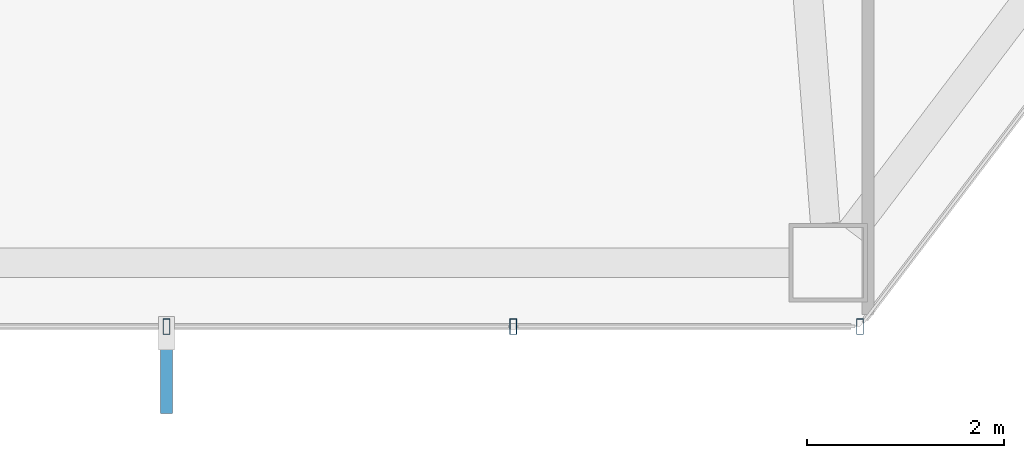
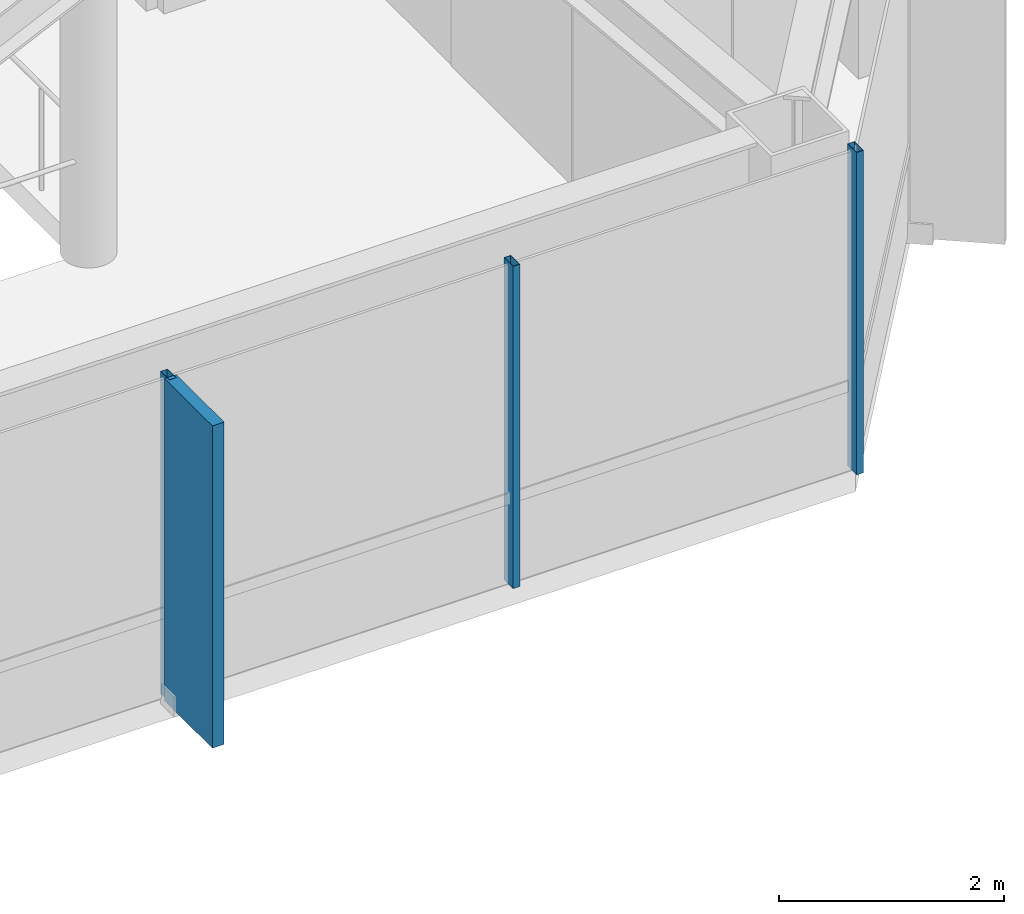
# One storey, part 8 of 28: 4 members, 1 element without a shape of its own.
"""IFC4 building model written with IfcOpenShell, lengths in metres."""

import ifcopenshell
import ifcopenshell.guid

model = None  # the IFC model being written
_history = None  # IfcOwnerHistory: only IFC2X3 demands one
_inside = {}  # id of a spatial element -> (the spatial element, [elements in it])
_under = {}  # id of a project, library or spatial element -> (it, [spatial elements below it])
_declared = {}  # id of a project -> (the project, [libraries it declares])
_typed = {}  # id of a type object -> (the type object, [elements of that type])
_made_of = {}  # id of a material, layer set ... -> (it, [elements and type objects made of it])


def new_model(schema):
    """Start an empty IFC model of exactly this schema.

    Asked for "IFC4X3", IfcOpenShell would pick the latest addendum, in which some entities
    have other attributes; the version numbers below select the first issue.
    IFC2X3 requires an IfcOwnerHistory on every rooted entity: one is made here for all.
    """
    global model, _history
    if schema == "IFC4X3":
        model = ifcopenshell.file(schema_version=(4, 3, 0, 0))
    else:
        model = ifcopenshell.file(schema=schema)
    _inside.clear()
    _under.clear()
    _declared.clear()
    _typed.clear()
    _made_of.clear()
    _history = None
    if model.schema == "IFC2X3":
        org = make("IfcOrganization", Name="unknown")
        user = make(
            "IfcPersonAndOrganization",
            ThePerson=make("IfcPerson", FamilyName="unknown"),
            TheOrganization=org,
        )
        app = make(
            "IfcApplication",
            ApplicationDeveloper=org,
            Version="unknown",
            ApplicationFullName="unknown",
            ApplicationIdentifier="unknown",
        )
        _history = make(
            "IfcOwnerHistory",
            OwningUser=user,
            OwningApplication=app,
            ChangeAction="ADDED",
            CreationDate=0,
        )
    return model


def make(cls, **values):
    """One entity of the class cls with the attributes given. An attribute that is None is left unset."""
    return model.create_entity(
        cls, **{name: value for name, value in values.items() if value is not None}
    )


def rooted(cls, **values):
    """An entity with a GlobalId (a new one), such as an element, a storey or a relation."""
    return make(cls, GlobalId=ifcopenshell.guid.new(), OwnerHistory=_history, **values)


def si_unit(unit_type, name, prefix=None):
    """IfcSIUnit, for example si_unit("LENGTHUNIT", "METRE", prefix="MILLI")."""
    return make("IfcSIUnit", UnitType=unit_type, Prefix=prefix, Name=name)


def assignment(units):
    """IfcUnitAssignment: the units of a project."""
    return None if units is None else make("IfcUnitAssignment", Units=units)


def point(xyz):
    """IfcCartesianPoint."""
    return None if xyz is None else make("IfcCartesianPoint", Coordinates=xyz)


def direction(xyz):
    """IfcDirection."""
    return None if xyz is None else make("IfcDirection", DirectionRatios=xyz)


def frame(location, z_axis=None, x_axis=None):
    """IfcAxis2Placement3D, a coordinate frame: its origin and axes. An axis left out is left unset."""
    return make(
        "IfcAxis2Placement3D",
        Location=point(location),
        Axis=direction(z_axis),
        RefDirection=direction(x_axis),
    )


def frame_2d(location, x_axis=None):
    """IfcAxis2Placement2D, a coordinate frame in the plane: its origin and x axis."""
    return make(
        "IfcAxis2Placement2D", Location=point(location), RefDirection=direction(x_axis)
    )


def origin():
    """The frame at (0, 0, 0) with its axes left unset."""
    return frame((0.0, 0.0, 0.0))


def origin_2d():
    """The frame at (0, 0) in the plane with its x axis left unset."""
    return frame_2d((0.0, 0.0))


def place(relative_to, where):
    """IfcLocalPlacement: puts the frame where relative to a parent placement (None: the world)."""
    return make(
        "IfcLocalPlacement", PlacementRelTo=relative_to, RelativePlacement=where
    )


def context(
    kind, dimensions, precision=None, world=None, true_north=None, identifier=None
):
    """IfcGeometricRepresentationContext, for example the 3D "Model" context."""
    return make(
        "IfcGeometricRepresentationContext",
        ContextIdentifier=identifier,
        ContextType=kind,
        CoordinateSpaceDimension=dimensions,
        Precision=precision,
        WorldCoordinateSystem=world,
        TrueNorth=true_north,
    )


def subcontext(parent, identifier, kind, view, scale=None):
    """IfcGeometricRepresentationSubContext, for example "Body" below "Model"."""
    return make(
        "IfcGeometricRepresentationSubContext",
        ContextIdentifier=identifier,
        ContextType=kind,
        ParentContext=parent,
        TargetScale=scale,
        TargetView=view,
    )


def project(units=None, contexts=None):
    """IfcProject with its units and contexts."""
    return rooted(
        "IfcProject",
        Name="project",
        RepresentationContexts=contexts,
        UnitsInContext=assignment(units),
    )


def spatial(cls, under=None, at=None, **own):
    """A site, building, storey or space (cls), placed at a placement, below another one or the project."""
    s = rooted(cls, ObjectPlacement=at, **own)
    if under is not None:
        _under.setdefault(under.id(), (under, []))[1].append(s)
    return s


def profile(cls, at=None, kind="AREA", **sizes):
    """A parametric profile (cls). Its sizes go by their IFC names, for example OverallWidth=200.0."""
    return make(cls, ProfileType=kind, Position=at, **sizes)


def rectangle(**sizes):
    """IfcRectangleProfileDef."""
    return profile("IfcRectangleProfileDef", **sizes)


def hollow_rectangle(**sizes):
    """IfcRectangleHollowProfileDef."""
    return profile("IfcRectangleHollowProfileDef", **sizes)


def extrude(swept, where, along, depth):
    """IfcExtrudedAreaSolid: the profile swept, set in the frame where, extruded along a direction by depth."""
    return make(
        "IfcExtrudedAreaSolid",
        SweptArea=swept,
        Position=where,
        ExtrudedDirection=direction(along),
        Depth=depth,
    )


def shape(context_of_items, identifier, shape_type, items):
    """IfcShapeRepresentation: the items that make up one representation, for example the "Body"."""
    return make(
        "IfcShapeRepresentation",
        ContextOfItems=context_of_items,
        RepresentationIdentifier=identifier,
        RepresentationType=shape_type,
        Items=items,
    )


def material(Name=None, Category=None):
    """IfcMaterial."""
    return make("IfcMaterial", Name=Name, Category=Category)


def layer(
    of_material, thickness, ventilated=None, Name=None, Category=None, Priority=None
):
    """IfcMaterialLayer: one layer of a wall or slab, of a material (None: an air gap)."""
    return make(
        "IfcMaterialLayer",
        Material=of_material,
        LayerThickness=thickness,
        IsVentilated=ventilated,
        Name=Name,
        Category=Category,
        Priority=Priority,
    )


def layer_set(layers, Name=None):
    """IfcMaterialLayerSet."""
    return make("IfcMaterialLayerSet", MaterialLayers=layers, LayerSetName=Name)


def material_profile(
    of_material, cross_section, Name=None, Category=None, Priority=None
):
    """IfcMaterialProfile: a cross section and its material."""
    return make(
        "IfcMaterialProfile",
        Name=Name,
        Material=of_material,
        Profile=cross_section,
        Priority=Priority,
        Category=Category,
    )


def profile_set(profiles, Name=None, composite=None):
    """IfcMaterialProfileSet."""
    return make(
        "IfcMaterialProfileSet",
        Name=Name,
        MaterialProfiles=profiles,
        CompositeProfile=composite,
    )


def made_of(thing, what):
    """Note that an element or type object is made of a material, layer set ...; save() writes the relation."""
    if what is not None:
        _made_of.setdefault(what.id(), (what, []))[1].append(thing)
    return thing


def type_object(cls, material=None, **own):
    """A type object (cls), such as IfcWallType, which elements share."""
    return made_of(rooted(cls, **own), material)


def element(
    cls,
    number,
    at=None,
    inside=None,
    cuts=None,
    type_object=None,
    material=None,
    context=None,
    identifier="Body",
    shape_type=None,
    held_by="IfcProductDefinitionShape",
    body=None,
    shapes=None,
    **own,
):
    """One element of the class cls, such as IfcWall. Its Tag is "e" and its number.

    at: its placement. inside: the storey or other place that contains it. cuts: it is an
    opening in that element (IfcRelVoidsElement). A single representation is given by context,
    identifier, shape_type and body (its items); several are given by shapes. held_by: the class
    of the entity that holds the representations. save() writes the other relations.
    """
    e = rooted(cls, Tag="e%d" % number, ObjectPlacement=at, **own)
    if body is not None:
        shapes = [shape(context, identifier, shape_type, body)]
    if shapes is not None:
        e.Representation = make(held_by, Representations=shapes)
    if inside is not None:
        _inside.setdefault(inside.id(), (inside, []))[1].append(e)
    if cuts is not None:
        rooted(
            "IfcRelVoidsElement", RelatingBuildingElement=cuts, RelatedOpeningElement=e
        )
    if type_object is not None:
        _typed.setdefault(type_object.id(), (type_object, []))[1].append(e)
    return made_of(e, material)


def aggregate(whole, parts):
    """IfcRelAggregates: a whole, such as a stair, and the parts it consists of."""
    return rooted("IfcRelAggregates", RelatingObject=whole, RelatedObjects=parts)


def save(model, path):
    """Write the relations noted so far, then the file.

    IfcRelAggregates (storeys below a building ...), IfcRelContainedInSpatialStructure (elements
    in a storey), IfcRelDefinesByType, IfcRelAssociatesMaterial and IfcRelDeclares: one each for
    every whole, place, type object, material and project.
    """
    for whole, parts in _under.values():
        aggregate(whole, parts)
    for where, things in _inside.values():
        rooted(
            "IfcRelContainedInSpatialStructure",
            RelatedElements=things,
            RelatingStructure=where,
        )
    for kind, things in _typed.values():
        rooted("IfcRelDefinesByType", RelatedObjects=things, RelatingType=kind)
    for what, things in _made_of.values():
        rooted("IfcRelAssociatesMaterial", RelatedObjects=things, RelatingMaterial=what)
    for by, libraries in _declared.values():
        rooted("IfcRelDeclares", RelatingContext=by, RelatedDefinitions=libraries)
    model.write(path)


model = new_model("IFC4")

# Units and contexts
model_context = context("Model", 3, precision=1e-05, world=origin(), true_north=direction((0.0, 1.0)))
body_context = subcontext(model_context, "Body", "Model", "MODEL_VIEW")
ifc_project = project(units=[si_unit("LENGTHUNIT", "METRE"), si_unit("AREAUNIT", "SQUARE_METRE"), si_unit("VOLUMEUNIT", "CUBIC_METRE"), si_unit("PLANEANGLEUNIT", "RADIAN"), si_unit("MASSUNIT", "GRAM", prefix="KILO")], contexts=[model_context])

# Site, building, storey
site_placement = place(None, origin())
site = spatial("IfcSite", under=ifc_project, at=site_placement, CompositionType="ELEMENT")
building_placement = place(site_placement, origin())
building = spatial("IfcBuilding", under=site, at=building_placement, Name="Zarrinselat Tower", CompositionType="ELEMENT")
storey_placement = place(building_placement, frame((0.0, 0.0, 123.419921875)))
storey = spatial("IfcBuildingStorey", under=building, at=storey_placement, Name="L29", CompositionType="ELEMENT", Elevation=123.419921875)

# Curtain wall, members
ifc_material_1 = material(Name="Extruded Aluminium Alloy EN AW-6063 T6", Category="aluminium")
ifc_layer = layer(ifc_material_1, 0.175048828125)
ifc_layer_set = layer_set([ifc_layer], Name="Extruded Aluminium Alloy EN AW-6063 T6")
curtain_wall_type = type_object("IfcCurtainWallType", Name="CWS-HTL", PredefinedType="NOTDEFINED", material=ifc_layer_set)
curtain_wall_placement = place(storey_placement, origin())
curtain_wall = element("IfcCurtainWall", 1, at=curtain_wall_placement, inside=storey, type_object=curtain_wall_type, Name="L29 Unitised Curtain Wall CW-L29-E04", PredefinedType="NOTDEFINED")
ifc_material_2 = material(Name="Extruded Aluminium Alloy EN AW-6063 T6", Category="aluminium")
ifc_material_profile_1 = material_profile(ifc_material_2, hollow_rectangle(XDim=0.070068359375, YDim=0.159912109375, WallThickness=0.00390625, at=origin_2d()), Name="RHS 160x70x4")
ifc_profile_set_1 = profile_set([ifc_material_profile_1], Name="Extruded Aluminium Alloy EN AW-6063 T6")
member_type_1 = type_object("IfcMemberType", Name="MEM-CW-MUL2", PredefinedType="MULLION", material=ifc_profile_set_1)
member_1_placement = place(storey_placement, frame((40.16357421875, 18.06640625, 0.0), z_axis=(0.0, 0.0, 1.0), x_axis=(1.0, 0.0, 0.0)))
member_1 = element("IfcMember", 2, at=member_1_placement, type_object=member_type_1, Name="CW-L29-E04 Mullion 3", PredefinedType="MULLION", context=body_context, shape_type="SweptSolid", body=[
    extrude(hollow_rectangle(XDim=0.070068359375, YDim=0.159912109375, WallThickness=0.00390625, at=origin_2d()), origin(), (0.0, 0.0, 1.0), 3.5),
])
member_2_placement = place(storey_placement, frame((43.690673828125, 18.06640625, 0.0), z_axis=(0.0, 0.0, 1.0), x_axis=(1.0, 0.0, 0.0)))
member_2 = element("IfcMember", 3, at=member_2_placement, type_object=member_type_1, Name="CW-L29-E04 Mullion 4", PredefinedType="MULLION", context=body_context, shape_type="SweptSolid", body=[
    extrude(hollow_rectangle(XDim=0.070068359375, YDim=0.159912109375, WallThickness=0.00390625, at=origin_2d()), origin(), (0.0, 0.0, 1.0), 3.5),
])
member_3_placement = place(storey_placement, frame((47.218017578125, 18.06640625, 0.0), z_axis=(0.0, 0.0, 1.0), x_axis=(1.0, 0.0, 0.0)))
member_3 = element("IfcMember", 4, at=member_3_placement, type_object=member_type_1, Name="CW-L29-E04 Mullion 5", PredefinedType="MULLION", context=body_context, shape_type="SweptSolid", body=[
    extrude(hollow_rectangle(XDim=0.070068359375, YDim=0.159912109375, WallThickness=0.00390625, at=origin_2d()), origin(), (0.0, 0.0, 1.0), 3.5),
])
ifc_material_3 = material(Name="Honed Cream Travertine Stone", Category="masonry")
ifc_material_profile_2 = material_profile(ifc_material_3, rectangle(XDim=0.1201171875, YDim=0.85009765625, at=origin_2d()), Name="FIN 850x120")
ifc_profile_set_2 = profile_set([ifc_material_profile_2], Name="Honed Cream Travertine Stone")
member_type_2 = type_object("IfcMemberType", Name="MEM-STONE-FIN", PredefinedType="USERDEFINED", material=ifc_profile_set_2)
member_4_placement = place(storey_placement, frame((40.16357421875, 17.606201171875, 0.0), z_axis=(0.0, 0.0, 1.0), x_axis=(-1.0, 0.0, 0.0)))
member_4 = element("IfcMember", 5, at=member_4_placement, type_object=member_type_2, Name="L29 Stone Shading Fin CW-L29-E04-03", ObjectType="FIN", PredefinedType="USERDEFINED", context=body_context, shape_type="SweptSolid", body=[
    extrude(rectangle(XDim=0.1201171875, YDim=0.85009765625, at=origin_2d()), origin(), (0.0, 0.0, 1.0), 3.5),
])
aggregate(curtain_wall, [member_1, member_4, member_2, member_3])

save(model, "model.ifc")
